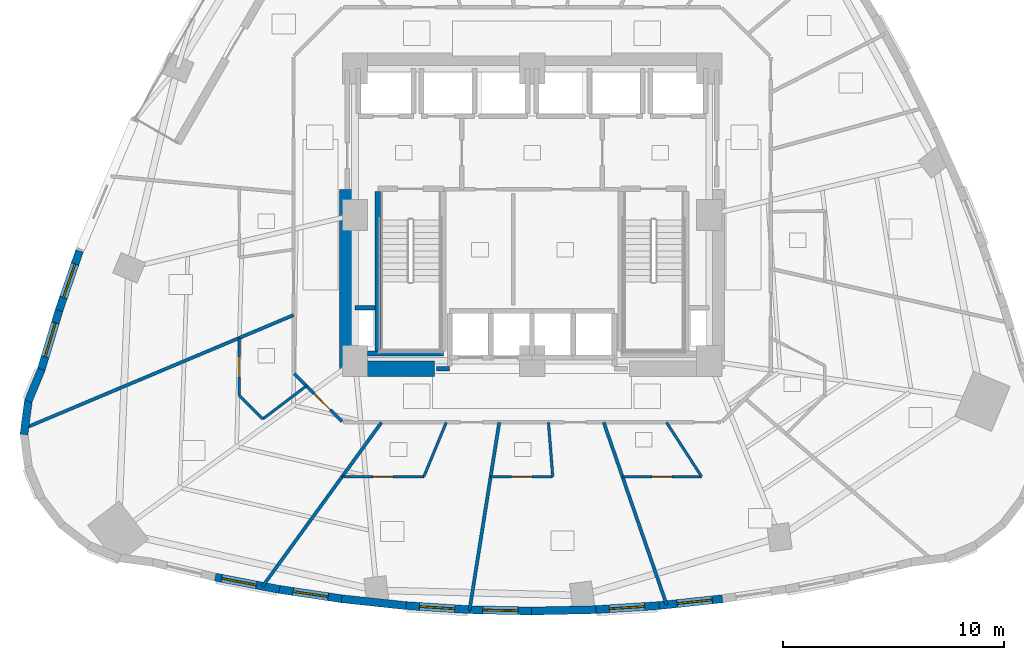
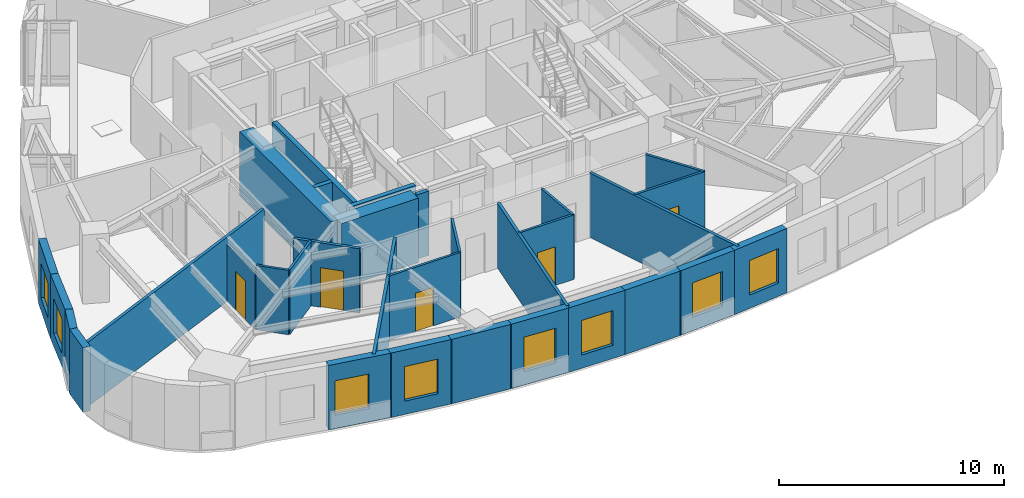
# One storey, part 5 of 12: 32 walls, 8 windows, 5 doors, 13 openings.
"""IFC4 building model written with IfcOpenShell, lengths in metres."""

import ifcopenshell
import ifcopenshell.guid

model = None  # the IFC model being written
_history = None  # IfcOwnerHistory: only IFC2X3 demands one
_inside = {}  # id of a spatial element -> (the spatial element, [elements in it])
_under = {}  # id of a project, library or spatial element -> (it, [spatial elements below it])
_declared = {}  # id of a project -> (the project, [libraries it declares])
_typed = {}  # id of a type object -> (the type object, [elements of that type])
_made_of = {}  # id of a material, layer set ... -> (it, [elements and type objects made of it])


def new_model(schema):
    """Start an empty IFC model of exactly this schema.

    Asked for "IFC4X3", IfcOpenShell would pick the latest addendum, in which some entities
    have other attributes; the version numbers below select the first issue.
    IFC2X3 requires an IfcOwnerHistory on every rooted entity: one is made here for all.
    """
    global model, _history
    if schema == "IFC4X3":
        model = ifcopenshell.file(schema_version=(4, 3, 0, 0))
    else:
        model = ifcopenshell.file(schema=schema)
    _inside.clear()
    _under.clear()
    _declared.clear()
    _typed.clear()
    _made_of.clear()
    _history = None
    if model.schema == "IFC2X3":
        org = make("IfcOrganization", Name="unknown")
        user = make(
            "IfcPersonAndOrganization",
            ThePerson=make("IfcPerson", FamilyName="unknown"),
            TheOrganization=org,
        )
        app = make(
            "IfcApplication",
            ApplicationDeveloper=org,
            Version="unknown",
            ApplicationFullName="unknown",
            ApplicationIdentifier="unknown",
        )
        _history = make(
            "IfcOwnerHistory",
            OwningUser=user,
            OwningApplication=app,
            ChangeAction="ADDED",
            CreationDate=0,
        )
    return model


def make(cls, **values):
    """One entity of the class cls with the attributes given. An attribute that is None is left unset."""
    return model.create_entity(
        cls, **{name: value for name, value in values.items() if value is not None}
    )


def rooted(cls, **values):
    """An entity with a GlobalId (a new one), such as an element, a storey or a relation."""
    return make(cls, GlobalId=ifcopenshell.guid.new(), OwnerHistory=_history, **values)


def si_unit(unit_type, name, prefix=None):
    """IfcSIUnit, for example si_unit("LENGTHUNIT", "METRE", prefix="MILLI")."""
    return make("IfcSIUnit", UnitType=unit_type, Prefix=prefix, Name=name)


def assignment(units):
    """IfcUnitAssignment: the units of a project."""
    return None if units is None else make("IfcUnitAssignment", Units=units)


def point(xyz):
    """IfcCartesianPoint."""
    return None if xyz is None else make("IfcCartesianPoint", Coordinates=xyz)


def direction(xyz):
    """IfcDirection."""
    return None if xyz is None else make("IfcDirection", DirectionRatios=xyz)


def frame(location, z_axis=None, x_axis=None):
    """IfcAxis2Placement3D, a coordinate frame: its origin and axes. An axis left out is left unset."""
    return make(
        "IfcAxis2Placement3D",
        Location=point(location),
        Axis=direction(z_axis),
        RefDirection=direction(x_axis),
    )


def frame_2d(location, x_axis=None):
    """IfcAxis2Placement2D, a coordinate frame in the plane: its origin and x axis."""
    return make(
        "IfcAxis2Placement2D", Location=point(location), RefDirection=direction(x_axis)
    )


def origin():
    """The frame at (0, 0, 0) with its axes left unset."""
    return frame((0.0, 0.0, 0.0))


def place(relative_to, where):
    """IfcLocalPlacement: puts the frame where relative to a parent placement (None: the world)."""
    return make(
        "IfcLocalPlacement", PlacementRelTo=relative_to, RelativePlacement=where
    )


def context(
    kind, dimensions, precision=None, world=None, true_north=None, identifier=None
):
    """IfcGeometricRepresentationContext, for example the 3D "Model" context."""
    return make(
        "IfcGeometricRepresentationContext",
        ContextIdentifier=identifier,
        ContextType=kind,
        CoordinateSpaceDimension=dimensions,
        Precision=precision,
        WorldCoordinateSystem=world,
        TrueNorth=true_north,
    )


def subcontext(parent, identifier, kind, view, scale=None):
    """IfcGeometricRepresentationSubContext, for example "Body" below "Model"."""
    return make(
        "IfcGeometricRepresentationSubContext",
        ContextIdentifier=identifier,
        ContextType=kind,
        ParentContext=parent,
        TargetScale=scale,
        TargetView=view,
    )


def project(units=None, contexts=None):
    """IfcProject with its units and contexts."""
    return rooted(
        "IfcProject",
        Name="project",
        RepresentationContexts=contexts,
        UnitsInContext=assignment(units),
    )


def spatial(cls, under=None, at=None, **own):
    """A site, building, storey or space (cls), placed at a placement, below another one or the project."""
    s = rooted(cls, ObjectPlacement=at, **own)
    if under is not None:
        _under.setdefault(under.id(), (under, []))[1].append(s)
    return s


def profile(cls, at=None, kind="AREA", **sizes):
    """A parametric profile (cls). Its sizes go by their IFC names, for example OverallWidth=200.0."""
    return make(cls, ProfileType=kind, Position=at, **sizes)


def rectangle(**sizes):
    """IfcRectangleProfileDef."""
    return profile("IfcRectangleProfileDef", **sizes)


def extrude(swept, where, along, depth):
    """IfcExtrudedAreaSolid: the profile swept, set in the frame where, extruded along a direction by depth."""
    return make(
        "IfcExtrudedAreaSolid",
        SweptArea=swept,
        Position=where,
        ExtrudedDirection=direction(along),
        Depth=depth,
    )


def shape(context_of_items, identifier, shape_type, items):
    """IfcShapeRepresentation: the items that make up one representation, for example the "Body"."""
    return make(
        "IfcShapeRepresentation",
        ContextOfItems=context_of_items,
        RepresentationIdentifier=identifier,
        RepresentationType=shape_type,
        Items=items,
    )


def material(Name=None, Category=None):
    """IfcMaterial."""
    return make("IfcMaterial", Name=Name, Category=Category)


def layer(
    of_material, thickness, ventilated=None, Name=None, Category=None, Priority=None
):
    """IfcMaterialLayer: one layer of a wall or slab, of a material (None: an air gap)."""
    return make(
        "IfcMaterialLayer",
        Material=of_material,
        LayerThickness=thickness,
        IsVentilated=ventilated,
        Name=Name,
        Category=Category,
        Priority=Priority,
    )


def layer_set(layers, Name=None):
    """IfcMaterialLayerSet."""
    return make("IfcMaterialLayerSet", MaterialLayers=layers, LayerSetName=Name)


def made_of(thing, what):
    """Note that an element or type object is made of a material, layer set ...; save() writes the relation."""
    if what is not None:
        _made_of.setdefault(what.id(), (what, []))[1].append(thing)
    return thing


def type_object(cls, material=None, **own):
    """A type object (cls), such as IfcWallType, which elements share."""
    return made_of(rooted(cls, **own), material)


def element(
    cls,
    number,
    at=None,
    inside=None,
    cuts=None,
    type_object=None,
    material=None,
    context=None,
    identifier="Body",
    shape_type=None,
    held_by="IfcProductDefinitionShape",
    body=None,
    shapes=None,
    **own,
):
    """One element of the class cls, such as IfcWall. Its Tag is "e" and its number.

    at: its placement. inside: the storey or other place that contains it. cuts: it is an
    opening in that element (IfcRelVoidsElement). A single representation is given by context,
    identifier, shape_type and body (its items); several are given by shapes. held_by: the class
    of the entity that holds the representations. save() writes the other relations.
    """
    e = rooted(cls, Tag="e%d" % number, ObjectPlacement=at, **own)
    if body is not None:
        shapes = [shape(context, identifier, shape_type, body)]
    if shapes is not None:
        e.Representation = make(held_by, Representations=shapes)
    if inside is not None:
        _inside.setdefault(inside.id(), (inside, []))[1].append(e)
    if cuts is not None:
        rooted(
            "IfcRelVoidsElement", RelatingBuildingElement=cuts, RelatedOpeningElement=e
        )
    if type_object is not None:
        _typed.setdefault(type_object.id(), (type_object, []))[1].append(e)
    return made_of(e, material)


def fill(opening, filler):
    """IfcRelFillsElement: the door or window that sits in an opening."""
    return rooted(
        "IfcRelFillsElement",
        RelatingOpeningElement=opening,
        RelatedBuildingElement=filler,
    )


def aggregate(whole, parts):
    """IfcRelAggregates: a whole, such as a stair, and the parts it consists of."""
    return rooted("IfcRelAggregates", RelatingObject=whole, RelatedObjects=parts)


def save(model, path):
    """Write the relations noted so far, then the file.

    IfcRelAggregates (storeys below a building ...), IfcRelContainedInSpatialStructure (elements
    in a storey), IfcRelDefinesByType, IfcRelAssociatesMaterial and IfcRelDeclares: one each for
    every whole, place, type object, material and project.
    """
    for whole, parts in _under.values():
        aggregate(whole, parts)
    for where, things in _inside.values():
        rooted(
            "IfcRelContainedInSpatialStructure",
            RelatedElements=things,
            RelatingStructure=where,
        )
    for kind, things in _typed.values():
        rooted("IfcRelDefinesByType", RelatedObjects=things, RelatingType=kind)
    for what, things in _made_of.values():
        rooted("IfcRelAssociatesMaterial", RelatedObjects=things, RelatingMaterial=what)
    for by, libraries in _declared.values():
        rooted("IfcRelDeclares", RelatingContext=by, RelatedDefinitions=libraries)
    model.write(path)


model = new_model("IFC4")

# Units and contexts
model_context = context("Model", 3, precision=1e-05, world=origin(), true_north=direction((0.0, 1.0)))
body_context = subcontext(model_context, "Body", "Model", "MODEL_VIEW")
ifc_project = project(units=[si_unit("LENGTHUNIT", "METRE"), si_unit("AREAUNIT", "SQUARE_METRE"), si_unit("VOLUMEUNIT", "CUBIC_METRE"), si_unit("PLANEANGLEUNIT", "RADIAN"), si_unit("MASSUNIT", "GRAM", prefix="KILO")], contexts=[model_context])

# Site, building, storey
site_placement = place(None, origin())
site = spatial("IfcSite", under=ifc_project, at=site_placement, CompositionType="ELEMENT")
building_placement = place(site_placement, origin())
building = spatial("IfcBuilding", under=site, at=building_placement, Name="Ndelora Gate Hotel", CompositionType="ELEMENT")
storey_placement = place(building_placement, frame((0.0, 0.0, 38.0)))
storey = spatial("IfcBuildingStorey", under=building, at=storey_placement, Name="L08", CompositionType="ELEMENT", Elevation=38.0)

# Wall, opening, window
ifc_material_1 = material(Name="Clay Brick Masonry", Category="masonry")
ifc_layer_1 = layer(ifc_material_1, 0.360107421875)
ifc_layer_set_1 = layer_set([ifc_layer_1], Name="Clay Brick Masonry")
wall_type_1 = type_object("IfcWallType", Name="WL-BRICK-360", PredefinedType="SOLIDWALL", material=ifc_layer_set_1)
wall_1_placement = place(storey_placement, frame((-21.373779296875, -4.32666015625, 0.0), z_axis=(0.0, 0.0, 1.0), x_axis=(0.325091754677, 0.945682478975, 0.0)))
wall_1 = element("IfcWall", 1, at=wall_1_placement, inside=storey, type_object=wall_type_1, Name="L08 Tower Brick Pier-and-Spandrel Wall TWR-17", PredefinedType="SOLIDWALL", context=body_context, shape_type="SweptSolid", body=[
    extrude(rectangle(XDim=2.84619140625, YDim=0.360107421875, at=frame_2d((1.423095703125, 0.0))), origin(), (0.0, 0.0, 1.0), 3.5),
])
opening_1_placement = place(wall_1_placement, frame((0.623046875, 0.0, 0.719970703125)))
opening_1 = element("IfcOpeningElement", 2, at=opening_1_placement, cuts=wall_1, Name="Opening W03", PredefinedType="OPENING", context=body_context, shape_type="SweptSolid", body=[
    extrude(rectangle(XDim=1.60009765625, YDim=1.8798828125, at=frame_2d((0.800048828125, 0.93994140625))), frame((0.0, 0.18994140625, 0.0), z_axis=(0.0, -1.0, 0.0), x_axis=(1.0, 0.0, 0.0)), (0.0, 0.0, 1.0), 0.380126953125),
])
ifc_material_2 = material(Name="Insulated Low-E Double Glazing in Bronze Aluminium Frame", Category="aluminium")
window_type_1 = type_object("IfcWindowType", Name="WN-CORN-2100", PartitioningType="SINGLE_PANEL", PredefinedType="WINDOW", material=ifc_material_2)
window_1_placement = place(opening_1_placement, origin())
window_1 = element("IfcWindow", 3, at=window_1_placement, inside=storey, type_object=window_type_1, Name="L08 Deep-Set Brick-Pier Window W03", OverallHeight=1.8798828125, OverallWidth=1.60009765625, PartitioningType="SINGLE_PANEL", PredefinedType="WINDOW", context=body_context, shape_type="SweptSolid", body=[
    extrude(rectangle(XDim=1.60009765625, YDim=1.8798828125, at=frame_2d((0.800048828125, 0.93994140625))), frame((0.0, 0.030029296875, 0.0), z_axis=(0.0, -1.0, 0.0), x_axis=(1.0, 0.0, 0.0)), (0.0, 0.0, 1.0), 0.06005859375),
])
fill(opening_1, window_1)

wall_2_placement = place(storey_placement, frame((-22.184326171875, -7.02783203125, 0.0), z_axis=(0.0, 0.0, 1.0), x_axis=(0.287784902043, 0.957695071594, 0.0)))
wall_2 = element("IfcWall", 4, at=wall_2_placement, inside=storey, type_object=wall_type_1, Name="L08 Tower Brick Pier-and-Spandrel Wall TWR-18", PredefinedType="SOLIDWALL", context=body_context, shape_type="SweptSolid", body=[
    extrude(rectangle(XDim=2.869873046875, YDim=0.360107421875, at=frame_2d((1.43505859375, 0.0))), origin(), (0.0, 0.0, 1.0), 3.5),
])
opening_2_placement = place(wall_2_placement, frame((0.635009765625, 0.0, 0.719970703125)))
opening_2 = element("IfcOpeningElement", 5, at=opening_2_placement, cuts=wall_2, Name="Opening W01", PredefinedType="OPENING", context=body_context, shape_type="SweptSolid", body=[
    extrude(rectangle(XDim=1.60009765625, YDim=1.8798828125, at=frame_2d((0.800048828125, 0.93994140625))), frame((0.0, 0.18994140625, 0.0), z_axis=(0.0, -1.0, 0.0), x_axis=(1.0, 0.0, 0.0)), (0.0, 0.0, 1.0), 0.380126953125),
])
window_type_2 = type_object("IfcWindowType", Name="WN-DEEP-1600", PartitioningType="SINGLE_PANEL", PredefinedType="WINDOW", material=ifc_material_2)
window_2_placement = place(opening_2_placement, origin())
window_2 = element("IfcWindow", 6, at=window_2_placement, inside=storey, type_object=window_type_2, Name="L08 Deep-Set Brick-Pier Window W01", OverallHeight=1.8798828125, OverallWidth=1.60009765625, PartitioningType="SINGLE_PANEL", PredefinedType="WINDOW", context=body_context, shape_type="SweptSolid", body=[
    extrude(rectangle(XDim=1.60009765625, YDim=1.8798828125, at=frame_2d((0.800048828125, 0.93994140625))), frame((0.0, 0.030029296875, 0.0), z_axis=(0.0, -1.0, 0.0), x_axis=(1.0, 0.0, 0.0)), (0.0, 0.0, 1.0), 0.06005859375),
])
fill(opening_2, window_2)

# Walls
for number, where, z_axis, x_axis, name in (
    (7, (-22.76611328125, -8.42578125, 0.0), (0.0, 0.0, 1.0), (0.382719393153, 0.923864636245, 0.0), "L08 Tower Brick Pier-and-Spandrel Wall TWR-19"),
    (8, (-22.95751953125, -9.9287109375, 0.0), (0.0, 0.0, 1.0), (0.130640235609, 0.991429840604, 0.0), "L08 Tower Brick Pier-and-Spandrel Wall TWR-20"),
):
    element("IfcWall", number, at=place(storey_placement, frame(where, z_axis=z_axis, x_axis=x_axis)), inside=storey, type_object=wall_type_1, Name=name, PredefinedType="SOLIDWALL", context=body_context, shape_type="SweptSolid", body=[
        extrude(rectangle(XDim=1.564208984375, YDim=0.360107421875, at=frame_2d((0.7822265625, 0.0))), origin(), (0.0, 0.0, 1.0), 3.5),
    ])

# Wall, opening, window
wall_3_placement = place(storey_placement, frame((-11.41162109375, -16.930908203125, 0.0), z_axis=(0.0, 0.0, 1.0), x_axis=(-0.981984682903, 0.188960531711, 0.0)))
wall_3 = element("IfcWall", 9, at=wall_3_placement, inside=storey, type_object=wall_type_1, Name="L08 Tower Brick Pier-and-Spandrel Wall TWR-28", PredefinedType="SOLIDWALL", context=body_context, shape_type="SweptSolid", body=[
    extrude(rectangle(XDim=2.96142578125, YDim=0.360107421875, at=frame_2d((1.480712890625, 0.0))), origin(), (0.0, 0.0, 1.0), 3.5),
])
opening_3_placement = place(wall_3_placement, frame((1.06005859375, 0.0, 0.719970703125)))
opening_3 = element("IfcOpeningElement", 10, at=opening_3_placement, cuts=wall_3, Name="Opening W01", PredefinedType="OPENING", context=body_context, shape_type="SweptSolid", body=[
    extrude(rectangle(XDim=1.60009765625, YDim=1.8798828125, at=frame_2d((0.800048828125, 0.93994140625))), frame((0.0, 0.18994140625, 0.0), z_axis=(0.0, -1.0, 0.0), x_axis=(1.0, 0.0, 0.0)), (0.0, 0.0, 1.0), 0.380126953125),
])
window_3_placement = place(opening_3_placement, origin())
window_3 = element("IfcWindow", 11, at=window_3_placement, inside=storey, type_object=window_type_2, Name="L08 Deep-Set Brick-Pier Window W01", OverallHeight=1.8798828125, OverallWidth=1.60009765625, PartitioningType="SINGLE_PANEL", PredefinedType="WINDOW", context=body_context, shape_type="SweptSolid", body=[
    extrude(rectangle(XDim=1.60009765625, YDim=1.8798828125, at=frame_2d((0.800048828125, 0.93994140625))), frame((0.0, 0.030029296875, 0.0), z_axis=(0.0, -1.0, 0.0), x_axis=(1.0, 0.0, 0.0)), (0.0, 0.0, 1.0), 0.06005859375),
])
fill(opening_3, window_3)

wall_4_placement = place(storey_placement, frame((-8.552490234375, -17.357666015625, 0.0), z_axis=(0.0, 0.0, 1.0), x_axis=(-0.988982587095, 0.148031896641, 0.0)))
wall_4 = element("IfcWall", 12, at=wall_4_placement, inside=storey, type_object=wall_type_1, Name="L08 Tower Brick Pier-and-Spandrel Wall TWR-29", PredefinedType="SOLIDWALL", context=body_context, shape_type="SweptSolid", body=[
    extrude(rectangle(XDim=2.940673828125, YDim=0.360107421875, at=frame_2d((1.47021484375, 0.0))), origin(), (0.0, 0.0, 1.0), 3.5),
])
opening_4_placement = place(wall_4_placement, frame((0.67041015625, 0.0, 0.719970703125)))
opening_4 = element("IfcOpeningElement", 13, at=opening_4_placement, cuts=wall_4, Name="Opening W03", PredefinedType="OPENING", context=body_context, shape_type="SweptSolid", body=[
    extrude(rectangle(XDim=1.60009765625, YDim=1.8798828125, at=frame_2d((0.800048828125, 0.93994140625))), frame((0.0, 0.18994140625, 0.0), z_axis=(0.0, -1.0, 0.0), x_axis=(1.0, 0.0, 0.0)), (0.0, 0.0, 1.0), 0.380126953125),
])
window_4_placement = place(opening_4_placement, origin())
window_4 = element("IfcWindow", 14, at=window_4_placement, inside=storey, type_object=window_type_1, Name="L08 Deep-Set Brick-Pier Window W03", OverallHeight=1.8798828125, OverallWidth=1.60009765625, PartitioningType="SINGLE_PANEL", PredefinedType="WINDOW", context=body_context, shape_type="SweptSolid", body=[
    extrude(rectangle(XDim=1.60009765625, YDim=1.8798828125, at=frame_2d((0.800048828125, 0.93994140625))), frame((0.0, 0.030029296875, 0.0), z_axis=(0.0, -1.0, 0.0), x_axis=(1.0, 0.0, 0.0)), (0.0, 0.0, 1.0), 0.06005859375),
])
fill(opening_4, window_4)

# Wall
wall_5_placement = place(storey_placement, frame((-5.693115234375, -17.662109375, 0.0), z_axis=(0.0, 0.0, 1.0), x_axis=(-0.994340996166, 0.106235508864, 0.0)))
element("IfcWall", 15, at=wall_5_placement, inside=storey, type_object=wall_type_1, Name="L08 Tower Brick Pier-and-Spandrel Wall TWR-30", PredefinedType="SOLIDWALL", context=body_context, shape_type="SweptSolid", body=[
    extrude(rectangle(XDim=2.925537109375, YDim=0.360107421875, at=frame_2d((1.462890625, 0.0))), origin(), (0.0, 0.0, 1.0), 3.5),
])

# Wall, opening, window
wall_6_placement = place(storey_placement, frame((-2.833984375, -17.844482421875, 0.0), z_axis=(0.0, 0.0, 1.0), x_axis=(-0.997950575381, 0.063989445203, 0.0)))
wall_6 = element("IfcWall", 16, at=wall_6_placement, inside=storey, type_object=wall_type_1, Name="L08 Tower Brick Pier-and-Spandrel Wall TWR-31", PredefinedType="SOLIDWALL", context=body_context, shape_type="SweptSolid", body=[
    extrude(rectangle(XDim=2.914794921875, YDim=0.360107421875, at=frame_2d((1.45751953125, 0.0))), origin(), (0.0, 0.0, 1.0), 3.5),
])
opening_5_placement = place(wall_6_placement, frame((0.657470703125, 0.0, 0.719970703125)))
opening_5 = element("IfcOpeningElement", 17, at=opening_5_placement, cuts=wall_6, Name="Opening W01", PredefinedType="OPENING", context=body_context, shape_type="SweptSolid", body=[
    extrude(rectangle(XDim=1.60009765625, YDim=1.8798828125, at=frame_2d((0.800048828125, 0.93994140625))), frame((0.0, 0.18994140625, 0.0), z_axis=(0.0, -1.0, 0.0), x_axis=(1.0, 0.0, 0.0)), (0.0, 0.0, 1.0), 0.380126953125),
])
window_5_placement = place(opening_5_placement, origin())
window_5 = element("IfcWindow", 18, at=window_5_placement, inside=storey, type_object=window_type_2, Name="L08 Deep-Set Brick-Pier Window W01", OverallHeight=1.8798828125, OverallWidth=1.60009765625, PartitioningType="SINGLE_PANEL", PredefinedType="WINDOW", context=body_context, shape_type="SweptSolid", body=[
    extrude(rectangle(XDim=1.60009765625, YDim=1.8798828125, at=frame_2d((0.800048828125, 0.93994140625))), frame((0.0, 0.030029296875, 0.0), z_axis=(0.0, -1.0, 0.0), x_axis=(1.0, 0.0, 0.0)), (0.0, 0.0, 1.0), 0.06005859375),
])
fill(opening_5, window_5)

wall_7_placement = place(storey_placement, frame((0.02490234375, -17.904296875, 0.0), z_axis=(0.0, 0.0, 1.0), x_axis=(-0.999772855956, 0.021312824625, 0.0)))
wall_7 = element("IfcWall", 19, at=wall_7_placement, inside=storey, type_object=wall_type_1, Name="L08 Tower Brick Pier-and-Spandrel Wall TWR-32", PredefinedType="SOLIDWALL", context=body_context, shape_type="SweptSolid", body=[
    extrude(rectangle(XDim=2.90966796875, YDim=0.360107421875, at=frame_2d((1.454833984375, 0.0))), origin(), (0.0, 0.0, 1.0), 3.5),
])
opening_6_placement = place(wall_7_placement, frame((0.65478515625, 0.0, 0.719970703125)))
opening_6 = element("IfcOpeningElement", 20, at=opening_6_placement, cuts=wall_7, Name="Opening W01", PredefinedType="OPENING", context=body_context, shape_type="SweptSolid", body=[
    extrude(rectangle(XDim=1.60009765625, YDim=1.8798828125, at=frame_2d((0.800048828125, 0.93994140625))), frame((0.0, 0.18994140625, 0.0), z_axis=(0.0, -1.0, 0.0), x_axis=(1.0, 0.0, 0.0)), (0.0, 0.0, 1.0), 0.380126953125),
])
window_6_placement = place(opening_6_placement, origin())
window_6 = element("IfcWindow", 21, at=window_6_placement, inside=storey, type_object=window_type_2, Name="L08 Deep-Set Brick-Pier Window W01", OverallHeight=1.8798828125, OverallWidth=1.60009765625, PartitioningType="SINGLE_PANEL", PredefinedType="WINDOW", context=body_context, shape_type="SweptSolid", body=[
    extrude(rectangle(XDim=1.60009765625, YDim=1.8798828125, at=frame_2d((0.800048828125, 0.93994140625))), frame((0.0, 0.030029296875, 0.0), z_axis=(0.0, -1.0, 0.0), x_axis=(1.0, 0.0, 0.0)), (0.0, 0.0, 1.0), 0.06005859375),
])
fill(opening_6, window_6)

# Wall
wall_8_placement = place(storey_placement, frame((2.884033203125, -17.84228515625, 0.0), z_axis=(0.0, 0.0, 1.0), x_axis=(-0.999772855956, -0.021312824625, 0.0)))
element("IfcWall", 22, at=wall_8_placement, inside=storey, type_object=wall_type_1, Name="L08 Tower Brick Pier-and-Spandrel Wall TWR-33", PredefinedType="SOLIDWALL", context=body_context, shape_type="SweptSolid", body=[
    extrude(rectangle(XDim=2.90966796875, YDim=0.360107421875, at=frame_2d((1.454833984375, 0.0))), origin(), (0.0, 0.0, 1.0), 3.5),
])

# Wall, opening, window
wall_9_placement = place(storey_placement, frame((5.742919921875, -17.657958984375, 0.0), z_axis=(0.0, 0.0, 1.0), x_axis=(-0.997950575381, -0.063989445203, 0.0)))
wall_9 = element("IfcWall", 23, at=wall_9_placement, inside=storey, type_object=wall_type_1, Name="L08 Tower Brick Pier-and-Spandrel Wall TWR-34", PredefinedType="SOLIDWALL", context=body_context, shape_type="SweptSolid", body=[
    extrude(rectangle(XDim=2.914794921875, YDim=0.360107421875, at=frame_2d((1.45751953125, 0.0))), origin(), (0.0, 0.0, 1.0), 3.5),
])
opening_7_placement = place(wall_9_placement, frame((0.657470703125, 0.0, 0.719970703125)))
opening_7 = element("IfcOpeningElement", 24, at=opening_7_placement, cuts=wall_9, Name="Opening W01", PredefinedType="OPENING", context=body_context, shape_type="SweptSolid", body=[
    extrude(rectangle(XDim=1.60009765625, YDim=1.8798828125, at=frame_2d((0.800048828125, 0.93994140625))), frame((0.0, 0.18994140625, 0.0), z_axis=(0.0, -1.0, 0.0), x_axis=(1.0, 0.0, 0.0)), (0.0, 0.0, 1.0), 0.380126953125),
])
window_7_placement = place(opening_7_placement, origin())
window_7 = element("IfcWindow", 25, at=window_7_placement, inside=storey, type_object=window_type_2, Name="L08 Deep-Set Brick-Pier Window W01", OverallHeight=1.8798828125, OverallWidth=1.60009765625, PartitioningType="SINGLE_PANEL", PredefinedType="WINDOW", context=body_context, shape_type="SweptSolid", body=[
    extrude(rectangle(XDim=1.60009765625, YDim=1.8798828125, at=frame_2d((0.800048828125, 0.93994140625))), frame((0.0, 0.030029296875, 0.0), z_axis=(0.0, -1.0, 0.0), x_axis=(1.0, 0.0, 0.0)), (0.0, 0.0, 1.0), 0.06005859375),
])
fill(opening_7, window_7)

wall_10_placement = place(storey_placement, frame((8.60205078125, -17.351318359375, 0.0), z_axis=(0.0, 0.0, 1.0), x_axis=(-0.994340996166, -0.106235508864, 0.0)))
wall_10 = element("IfcWall", 26, at=wall_10_placement, inside=storey, type_object=wall_type_1, Name="L08 Tower Brick Pier-and-Spandrel Wall TWR-35", PredefinedType="SOLIDWALL", context=body_context, shape_type="SweptSolid", body=[
    extrude(rectangle(XDim=2.925537109375, YDim=0.360107421875, at=frame_2d((1.462890625, 0.0))), origin(), (0.0, 0.0, 1.0), 3.5),
])
opening_8_placement = place(wall_10_placement, frame((0.4599609375, 0.0, 0.719970703125)))
opening_8 = element("IfcOpeningElement", 27, at=opening_8_placement, cuts=wall_10, Name="Opening W01", PredefinedType="OPENING", context=body_context, shape_type="SweptSolid", body=[
    extrude(rectangle(XDim=1.60009765625, YDim=1.8798828125, at=frame_2d((0.800048828125, 0.93994140625))), frame((0.0, 0.18994140625, 0.0), z_axis=(0.0, -1.0, 0.0), x_axis=(1.0, 0.0, 0.0)), (0.0, 0.0, 1.0), 0.380126953125),
])
window_8_placement = place(opening_8_placement, origin())
window_8 = element("IfcWindow", 28, at=window_8_placement, inside=storey, type_object=window_type_2, Name="L08 Deep-Set Brick-Pier Window W01", OverallHeight=1.8798828125, OverallWidth=1.60009765625, PartitioningType="SINGLE_PANEL", PredefinedType="WINDOW", context=body_context, shape_type="SweptSolid", body=[
    extrude(rectangle(XDim=1.60009765625, YDim=1.8798828125, at=frame_2d((0.800048828125, 0.93994140625))), frame((0.0, 0.030029296875, 0.0), z_axis=(0.0, -1.0, 0.0), x_axis=(1.0, 0.0, 0.0)), (0.0, 0.0, 1.0), 0.06005859375),
])
fill(opening_8, window_8)

# Walls
ifc_material_3 = material(Name="Concrete C60/75", Category="concrete")
ifc_layer_2 = layer(ifc_material_3, 0.699951171875)
ifc_layer_set_2 = layer_set([ifc_layer_2], Name="Concrete C60/75")
wall_type_2 = type_object("IfcWallType", Name="WL-CORE-700", PredefinedType="SHEAR", material=ifc_layer_set_2)
wall_11_placement = place(storey_placement, frame((-8.35009765625, -6.949951171875, 0.0), z_axis=(0.0, 0.0, 1.0), x_axis=(1.0, 0.0, 0.0)))
element("IfcWall", 29, at=wall_11_placement, inside=storey, type_object=wall_type_2, Name="L08 Core Shear Wall S-W", PredefinedType="SHEAR", context=body_context, shape_type="SweptSolid", body=[
    extrude(rectangle(XDim=3.9501953125, YDim=0.699951171875, at=frame_2d((1.97509765625, 0.0))), origin(), (0.0, 0.0, 1.0), 3.5),
])
wall_12_placement = place(storey_placement, frame((-8.35009765625, -6.949951171875, 0.0), z_axis=(0.0, 0.0, 1.0), x_axis=(0.0, 1.0, 0.0)))
element("IfcWall", 30, at=wall_12_placement, inside=storey, type_object=wall_type_2, Name="L08 Core Shear Wall W", PredefinedType="SHEAR", context=body_context, shape_type="SweptSolid", body=[
    extrude(rectangle(XDim=8.099853515625, YDim=0.699951171875, at=frame_2d((4.0498046875, 0.0))), origin(), (0.0, 0.0, 1.0), 3.5),
])
ifc_material_4 = material(Name="Concrete C40/50", Category="concrete")
ifc_layer_3 = layer(ifc_material_4, 0.199951171875)
ifc_layer_set_3 = layer_set([ifc_layer_3], Name="Concrete C40/50")
wall_type_3 = type_object("IfcWallType", Name="WL-FIRE-200", PredefinedType="PARTITIONING", material=ifc_layer_set_3)
wall_13_placement = place(storey_placement, frame((-4.320068359375, -6.949951171875, 0.0), z_axis=(0.0, 0.0, 1.0), x_axis=(1.0, 0.0, 0.0)))
element("IfcWall", 31, at=wall_13_placement, inside=storey, type_object=wall_type_3, Name="L08 Interior Wall IW-2", PredefinedType="PARTITIONING", context=body_context, shape_type="SweptSolid", body=[
    extrude(rectangle(XDim=0.60009765625, YDim=0.199951171875, at=frame_2d((0.300048828125, 0.0))), origin(), (0.0, 0.0, 1.0), 3.5),
])

# Wall, opening, door
ifc_material_5 = material(Name="Fire-Rated Gypsum Stud Partition", Category="gypsum")
ifc_layer_4 = layer(ifc_material_5, 0.14990234375)
ifc_layer_set_4 = layer_set([ifc_layer_4], Name="Fire-Rated Gypsum Stud Partition")
wall_type_4 = type_object("IfcWallType", Name="WL-PART-150", PredefinedType="PARTITIONING", material=ifc_layer_set_4)
wall_14_placement = place(storey_placement, frame((-8.578369140625, -9.351806640625, 0.0), z_axis=(0.0, 0.0, 1.0), x_axis=(-0.707067066127, 0.707146494016, 0.0)))
wall_14 = element("IfcWall", 32, at=wall_14_placement, inside=storey, type_object=wall_type_4, Name="L08 Interior Wall IW-5", PredefinedType="PARTITIONING", context=body_context, shape_type="SweptSolid", body=[
    extrude(rectangle(XDim=3.07373046875, YDim=0.14990234375, at=frame_2d((1.536865234375, 0.0))), origin(), (0.0, 0.0, 1.0), 3.5),
])
opening_9_placement = place(wall_14_placement, frame((0.75390625, 0.0, 0.0)))
opening_9 = element("IfcOpeningElement", 33, at=opening_9_placement, cuts=wall_14, Name="Opening D07", PredefinedType="OPENING", context=body_context, shape_type="SweptSolid", body=[
    extrude(rectangle(XDim=1.06005859375, YDim=2.14990234375, at=frame_2d((0.530029296875, 1.074951171875))), frame((0.0, 0.0849609375, 0.0), z_axis=(0.0, -1.0, 0.0), x_axis=(1.0, 0.0, 0.0)), (0.0, 0.0, 1.0), 0.169921875),
])
ifc_material_6 = material(Name="Diplomatic Suite Acoustic Entrance Door", Category="wood")
door_type_1 = type_object("IfcDoorType", Name="DR-SUITE-1060", OperationType="SINGLE_SWING_LEFT", PredefinedType="DOOR", material=ifc_material_6)
door_1_placement = place(opening_9_placement, origin())
door_1 = element("IfcDoor", 34, at=door_1_placement, inside=storey, type_object=door_type_1, Name="L08 Twin Junior Suite 1105 Entrance Door", OperationType="SINGLE_SWING_LEFT", OverallHeight=2.14990234375, OverallWidth=1.06005859375, PredefinedType="DOOR", context=body_context, shape_type="SweptSolid", body=[
    extrude(rectangle(XDim=1.06005859375, YDim=2.14990234375, at=frame_2d((0.530029296875, 1.074951171875))), frame((0.0, 0.02490234375, 0.0), z_axis=(0.0, -1.0, 0.0), x_axis=(1.0, 0.0, 0.0)), (0.0, 0.0, 1.0), 0.050048828125),
])
fill(opening_9, door_1)

# Walls
wall_15_placement = place(storey_placement, frame((-10.780029296875, -4.53466796875, 0.0), z_axis=(0.0, 0.0, 1.0), x_axis=(-0.921767922979, -0.387742048489, 0.0)))
element("IfcWall", 35, at=wall_15_placement, inside=storey, type_object=wall_type_4, Name="L08 Interior Wall IW-5", PredefinedType="PARTITIONING", context=body_context, shape_type="SweptSolid", body=[
    extrude(rectangle(XDim=13.169677734375, YDim=0.14990234375, at=frame_2d((6.5849609375, 0.0))), origin(), (0.0, 0.0, 1.0), 3.5),
])
wall_16_placement = place(storey_placement, frame((-6.802490234375, -9.3798828125, 0.0), z_axis=(0.0, 0.0, 1.0), x_axis=(-0.58706335667, -0.809540990472, 0.0)))
element("IfcWall", 36, at=wall_16_placement, inside=storey, type_object=wall_type_4, Name="L08 Interior Wall IW-5", PredefinedType="PARTITIONING", context=body_context, shape_type="SweptSolid", body=[
    extrude(rectangle(XDim=9.146484375, YDim=0.14990234375, at=frame_2d((4.5732421875, 0.0))), origin(), (0.0, 0.0, 1.0), 3.5),
])
wall_17_placement = place(storey_placement, frame((-1.482666015625, -9.3798828125, 0.0), z_axis=(0.0, 0.0, 1.0), x_axis=(-0.156108883171, -0.987739852692, 0.0)))
element("IfcWall", 37, at=wall_17_placement, inside=storey, type_object=wall_type_4, Name="L08 Interior Wall IW-5", PredefinedType="PARTITIONING", context=body_context, shape_type="SweptSolid", body=[
    extrude(rectangle(XDim=8.568603515625, YDim=0.14990234375, at=frame_2d((4.2841796875, 0.0))), origin(), (0.0, 0.0, 1.0), 3.5),
])
wall_18_placement = place(storey_placement, frame((3.237548828125, -9.3798828125, 0.0), z_axis=(0.0, 0.0, 1.0), x_axis=(0.326258220665, -0.945280685008, 0.0)))
element("IfcWall", 38, at=wall_18_placement, inside=storey, type_object=wall_type_4, Name="L08 Interior Wall IW-5", PredefinedType="PARTITIONING", context=body_context, shape_type="SweptSolid", body=[
    extrude(rectangle(XDim=8.7177734375, YDim=0.14990234375, at=frame_2d((4.35888671875, 0.0))), origin(), (0.0, 0.0, 1.0), 3.5),
])
ifc_layer_5 = layer(ifc_material_4, 0.219970703125)
ifc_layer_set_5 = layer_set([ifc_layer_5], Name="Concrete C40/50")
wall_type_5 = type_object("IfcWallType", Name="WL-SHAFT-220", PredefinedType="PARTITIONING", material=ifc_layer_set_5)
wall_19_placement = place(storey_placement, frame((-8.0, -4.199951171875, 0.0), z_axis=(0.0, 0.0, 1.0), x_axis=(1.0, 0.0, 0.0)))
element("IfcWall", 39, at=wall_19_placement, inside=storey, type_object=wall_type_5, Name="L08 Interior Wall IW-1", PredefinedType="PARTITIONING", context=body_context, shape_type="SweptSolid", body=[
    extrude(rectangle(XDim=0.909912109375, YDim=0.219970703125, at=frame_2d((0.455078125, 0.0))), origin(), (0.0, 0.0, 1.0), 3.5),
])
ifc_material_7 = material(Name="Concrete C50/60", Category="concrete")
ifc_layer_6 = layer(ifc_material_7, 0.239990234375)
ifc_layer_set_6 = layer_set([ifc_layer_6], Name="Concrete C50/60")
wall_type_6 = type_object("IfcWallType", Name="WL-STAIR-240", PredefinedType="SHEAR", material=ifc_layer_set_6)
wall_20_placement = place(storey_placement, frame((-6.969970703125, -6.159912109375, 0.0), z_axis=(0.0, 0.0, 1.0), x_axis=(0.0, 1.0, 0.0)))
element("IfcWall", 40, at=wall_20_placement, inside=storey, type_object=wall_type_6, Name="L08 Stair Core Shear Wall SW-ST", PredefinedType="SHEAR", context=body_context, shape_type="SweptSolid", body=[
    extrude(rectangle(XDim=7.219970703125, YDim=0.239990234375, at=frame_2d((3.60986328125, 0.0))), origin(), (0.0, 0.0, 1.0), 3.5),
])
wall_21_placement = place(storey_placement, frame((-7.425048828125, -6.27001953125, 0.0), z_axis=(0.0, 0.0, 1.0), x_axis=(1.0, 0.0, 0.0)))
element("IfcWall", 41, at=wall_21_placement, inside=storey, type_object=wall_type_6, Name="L08 Stair Core Shear Wall SW-ST", PredefinedType="SHEAR", context=body_context, shape_type="SweptSolid", body=[
    extrude(rectangle(XDim=3.4150390625, YDim=0.239990234375, at=frame_2d((1.70751953125, 0.0))), origin(), (0.0, 0.0, 1.0), 3.5),
])
ifc_material_8 = material(Name="Moisture-Resistant Bathroom Tile Partition", Category="gypsum")
ifc_layer_7 = layer(ifc_material_8, 0.1201171875)
ifc_layer_set_7 = layer_set([ifc_layer_7], Name="Moisture-Resistant Bathroom Tile Partition")
wall_type_7 = type_object("IfcWallType", Name="WL-WET-120", PredefinedType="PARTITIONING", material=ifc_layer_set_7)
wall_22_placement = place(storey_placement, frame((-12.166015625, -9.228759765625, 0.0), z_axis=(0.0, 0.0, 1.0), x_axis=(0.796694549239, 0.604382159906, 0.0)))
element("IfcWall", 42, at=wall_22_placement, inside=storey, type_object=wall_type_7, Name="L08 Interior Wall IW-7", PredefinedType="PARTITIONING", context=body_context, shape_type="SweptSolid", body=[
    extrude(rectangle(XDim=2.472900390625, YDim=0.1201171875, at=frame_2d((1.236328125, 0.0))), origin(), (0.0, 0.0, 1.0), 3.5),
])
wall_23_placement = place(storey_placement, frame((-12.166015625, -9.228759765625, 0.0), z_axis=(0.0, 0.0, 1.0), x_axis=(-0.707106781187, 0.707106781187, 0.0)))
element("IfcWall", 43, at=wall_23_placement, inside=storey, type_object=wall_type_7, Name="L08 Interior Wall IW-7", PredefinedType="PARTITIONING", context=body_context, shape_type="SweptSolid", body=[
    extrude(rectangle(XDim=1.504638671875, YDim=0.1201171875, at=frame_2d((0.75244140625, 0.0))), origin(), (0.0, 0.0, 1.0), 3.5),
])

# Wall, opening, door
wall_24_placement = place(storey_placement, frame((-13.22998046875, -8.164794921875, 0.0), z_axis=(0.0, 0.0, 1.0), x_axis=(0.0, 1.0, 0.0)))
wall_24 = element("IfcWall", 44, at=wall_24_placement, inside=storey, type_object=wall_type_7, Name="L08 Interior Wall IW-7", PredefinedType="PARTITIONING", context=body_context, shape_type="SweptSolid", body=[
    extrude(rectangle(XDim=2.599609375, YDim=0.1201171875, at=frame_2d((1.2998046875, 0.0))), origin(), (0.0, 0.0, 1.0), 3.1201171875),
])
opening_10_placement = place(wall_24_placement, frame((0.839599609375, 0.0, 0.0)))
opening_10 = element("IfcOpeningElement", 45, at=opening_10_placement, cuts=wall_24, Name="Opening D03", PredefinedType="OPENING", context=body_context, shape_type="SweptSolid", body=[
    extrude(rectangle(XDim=0.919921875, YDim=2.10009765625, at=frame_2d((0.4599609375, 1.050048828125))), frame((0.0, 0.070068359375, 0.0), z_axis=(0.0, -1.0, 0.0), x_axis=(1.0, 0.0, 0.0)), (0.0, 0.0, 1.0), 0.14013671875),
])
ifc_material_9 = material(Name="Moisture-Resistant Hardwood En-Suite Door", Category="wood")
door_type_2 = type_object("IfcDoorType", Name="DR-BATH-920", OperationType="SINGLE_SWING_LEFT", PredefinedType="DOOR", material=ifc_material_9)
door_2_placement = place(opening_10_placement, origin())
door_2 = element("IfcDoor", 46, at=door_2_placement, inside=storey, type_object=door_type_2, Name="L08 En-suite Bathroom 1105 Door", OperationType="SINGLE_SWING_RIGHT", OverallHeight=2.10009765625, OverallWidth=0.919921875, PredefinedType="DOOR", context=body_context, shape_type="SweptSolid", body=[
    extrude(rectangle(XDim=0.919921875, YDim=2.10009765625, at=frame_2d((0.4599609375, 1.050048828125))), frame((0.0, 0.02490234375, 0.0), z_axis=(0.0, -1.0, 0.0), x_axis=(1.0, 0.0, 0.0)), (0.0, 0.0, 1.0), 0.050048828125),
])
fill(opening_10, door_2)

# Wall
wall_25_placement = place(storey_placement, frame((-4.887939453125, -11.830078125, 0.0), z_axis=(0.0, 0.0, 1.0), x_axis=(0.381814881219, 0.924238820046, 0.0)))
element("IfcWall", 47, at=wall_25_placement, inside=storey, type_object=wall_type_7, Name="L08 Interior Wall IW-7", PredefinedType="PARTITIONING", context=body_context, shape_type="SweptSolid", body=[
    extrude(rectangle(XDim=2.651123046875, YDim=0.1201171875, at=frame_2d((1.32568359375, 0.0))), origin(), (0.0, 0.0, 1.0), 3.5),
])

# Wall, opening, door
wall_26_placement = place(storey_placement, frame((-4.887939453125, -11.830078125, 0.0), z_axis=(0.0, 0.0, 1.0), x_axis=(-1.0, 0.0, 0.0)))
wall_26 = element("IfcWall", 48, at=wall_26_placement, inside=storey, type_object=wall_type_7, Name="L08 Interior Wall IW-7", PredefinedType="PARTITIONING", context=body_context, shape_type="SweptSolid", body=[
    extrude(rectangle(XDim=3.691162109375, YDim=0.1201171875, at=frame_2d((1.845703125, 0.0))), origin(), (0.0, 0.0, 1.0), 3.5),
])
opening_11_placement = place(wall_26_placement, frame((1.385498046875, 0.0, 0.0)))
opening_11 = element("IfcOpeningElement", 49, at=opening_11_placement, cuts=wall_26, Name="Opening D03", PredefinedType="OPENING", context=body_context, shape_type="SweptSolid", body=[
    extrude(rectangle(XDim=0.919921875, YDim=2.10009765625, at=frame_2d((0.4599609375, 1.050048828125))), frame((0.0, 0.070068359375, 0.0), z_axis=(0.0, -1.0, 0.0), x_axis=(1.0, 0.0, 0.0)), (0.0, 0.0, 1.0), 0.14013671875),
])
door_3_placement = place(opening_11_placement, origin())
door_3 = element("IfcDoor", 50, at=door_3_placement, inside=storey, type_object=door_type_2, Name="L08 En-suite Bathroom 1106 Door", OperationType="SINGLE_SWING_LEFT", OverallHeight=2.10009765625, OverallWidth=0.919921875, PredefinedType="DOOR", context=body_context, shape_type="SweptSolid", body=[
    extrude(rectangle(XDim=0.919921875, YDim=2.10009765625, at=frame_2d((0.4599609375, 1.050048828125))), frame((0.0, 0.02490234375, 0.0), z_axis=(0.0, -1.0, 0.0), x_axis=(1.0, 0.0, 0.0)), (0.0, 0.0, 1.0), 0.050048828125),
])
fill(opening_11, door_3)

# Wall
wall_27_placement = place(storey_placement, frame((0.7412109375, -9.3798828125, 0.0), z_axis=(0.0, 0.0, 1.0), x_axis=(0.078770028052, -0.996892814038, 0.0)))
element("IfcWall", 51, at=wall_27_placement, inside=storey, type_object=wall_type_7, Name="L08 Interior Wall IW-7", PredefinedType="PARTITIONING", context=body_context, shape_type="SweptSolid", body=[
    extrude(rectangle(XDim=2.457763671875, YDim=0.1201171875, at=frame_2d((1.22900390625, 0.0))), origin(), (0.0, 0.0, 1.0), 3.5),
])

# Wall, opening, door
wall_28_placement = place(storey_placement, frame((0.934814453125, -11.830078125, 0.0), z_axis=(0.0, 0.0, 1.0), x_axis=(-1.0, 0.0, 0.0)))
wall_28 = element("IfcWall", 52, at=wall_28_placement, inside=storey, type_object=wall_type_7, Name="L08 Interior Wall IW-7", PredefinedType="PARTITIONING", context=body_context, shape_type="SweptSolid", body=[
    extrude(rectangle(XDim=2.8046875, YDim=0.1201171875, at=frame_2d((1.40234375, 0.0))), origin(), (0.0, 0.0, 1.0), 3.5),
])
opening_12_placement = place(wall_28_placement, frame((0.9423828125, 0.0, 0.0)))
opening_12 = element("IfcOpeningElement", 53, at=opening_12_placement, cuts=wall_28, Name="Opening D03", PredefinedType="OPENING", context=body_context, shape_type="SweptSolid", body=[
    extrude(rectangle(XDim=0.919921875, YDim=2.10009765625, at=frame_2d((0.4599609375, 1.050048828125))), frame((0.0, 0.070068359375, 0.0), z_axis=(0.0, -1.0, 0.0), x_axis=(1.0, 0.0, 0.0)), (0.0, 0.0, 1.0), 0.14013671875),
])
door_4_placement = place(opening_12_placement, origin())
door_4 = element("IfcDoor", 54, at=door_4_placement, inside=storey, type_object=door_type_2, Name="L08 En-suite Bathroom 1107 Door", OperationType="SINGLE_SWING_RIGHT", OverallHeight=2.10009765625, OverallWidth=0.919921875, PredefinedType="DOOR", context=body_context, shape_type="SweptSolid", body=[
    extrude(rectangle(XDim=0.919921875, YDim=2.10009765625, at=frame_2d((0.4599609375, 1.050048828125))), frame((0.0, 0.02490234375, 0.0), z_axis=(0.0, -1.0, 0.0), x_axis=(1.0, 0.0, 0.0)), (0.0, 0.0, 1.0), 0.050048828125),
])
fill(opening_12, door_4)

# Wall
wall_29_placement = place(storey_placement, frame((6.073974609375, -9.3798828125, 0.0), z_axis=(0.0, 0.0, 1.0), x_axis=(0.543494016026, -0.839413041681, 0.0)))
element("IfcWall", 55, at=wall_29_placement, inside=storey, type_object=wall_type_7, Name="L08 Interior Wall IW-7", PredefinedType="PARTITIONING", context=body_context, shape_type="SweptSolid", body=[
    extrude(rectangle(XDim=2.9189453125, YDim=0.1201171875, at=frame_2d((1.45947265625, 0.0))), origin(), (0.0, 0.0, 1.0), 3.5),
])

# Wall, opening, door
wall_30_placement = place(storey_placement, frame((7.660400390625, -11.830078125, 0.0), z_axis=(0.0, 0.0, 1.0), x_axis=(-1.0, 0.0, 0.0)))
wall_30 = element("IfcWall", 56, at=wall_30_placement, inside=storey, type_object=wall_type_7, Name="L08 Interior Wall IW-7", PredefinedType="PARTITIONING", context=body_context, shape_type="SweptSolid", body=[
    extrude(rectangle(XDim=3.577392578125, YDim=0.1201171875, at=frame_2d((1.78857421875, 0.0))), origin(), (0.0, 0.0, 1.0), 3.5),
])
opening_13_placement = place(wall_30_placement, frame((1.32861328125, 0.0, 0.0)))
opening_13 = element("IfcOpeningElement", 57, at=opening_13_placement, cuts=wall_30, Name="Opening D03", PredefinedType="OPENING", context=body_context, shape_type="SweptSolid", body=[
    extrude(rectangle(XDim=0.919921875, YDim=2.10009765625, at=frame_2d((0.4599609375, 1.050048828125))), frame((0.0, 0.070068359375, 0.0), z_axis=(0.0, -1.0, 0.0), x_axis=(1.0, 0.0, 0.0)), (0.0, 0.0, 1.0), 0.14013671875),
])
door_5_placement = place(opening_13_placement, origin())
door_5 = element("IfcDoor", 58, at=door_5_placement, inside=storey, type_object=door_type_2, Name="L08 En-suite Bathroom 1108 Door", OperationType="SINGLE_SWING_LEFT", OverallHeight=2.10009765625, OverallWidth=0.919921875, PredefinedType="DOOR", context=body_context, shape_type="SweptSolid", body=[
    extrude(rectangle(XDim=0.919921875, YDim=2.10009765625, at=frame_2d((0.4599609375, 1.050048828125))), frame((0.0, 0.02490234375, 0.0), z_axis=(0.0, -1.0, 0.0), x_axis=(1.0, 0.0, 0.0)), (0.0, 0.0, 1.0), 0.050048828125),
])
fill(opening_13, door_5)

save(model, "model.ifc")
